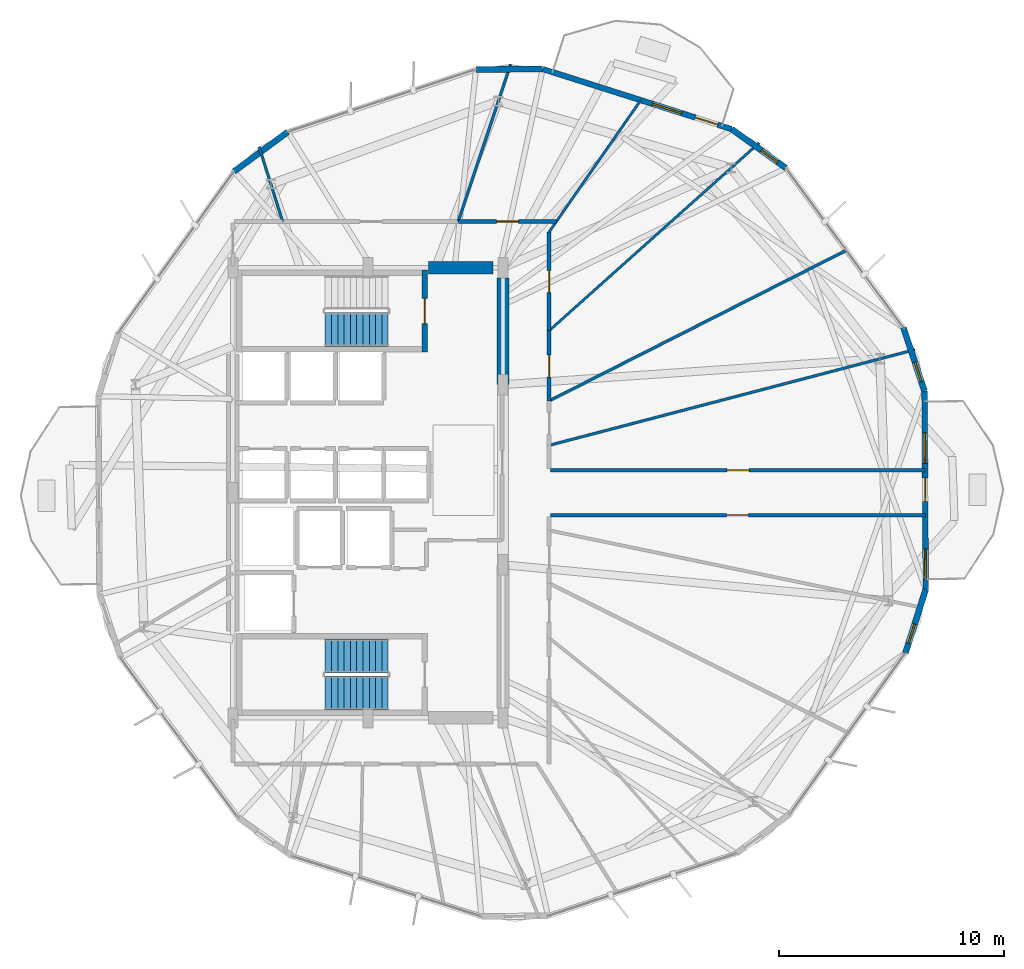
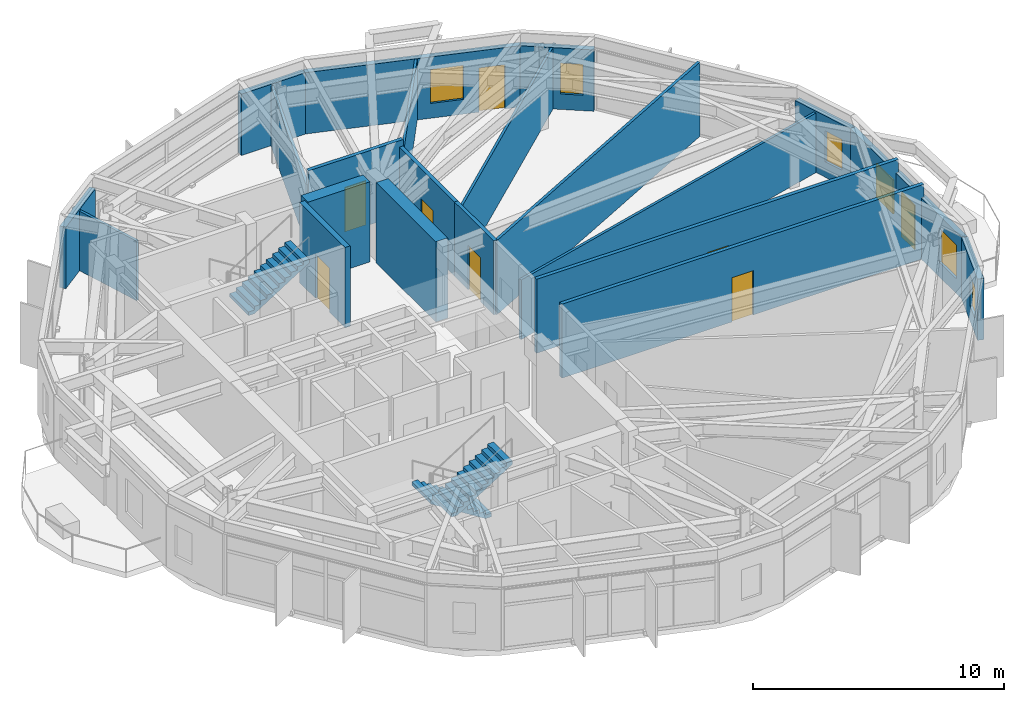
# One storey, part 23 of 27: 21 walls, 8 doors, 6 windows, 3 stair flights, 14 openings, 2 elements without a shape of their own.
"""IFC4 building model written with IfcOpenShell, lengths in metres."""

import ifcopenshell
import ifcopenshell.guid

model = None  # the IFC model being written
_history = None  # IfcOwnerHistory: only IFC2X3 demands one
_inside = {}  # id of a spatial element -> (the spatial element, [elements in it])
_under = {}  # id of a project, library or spatial element -> (it, [spatial elements below it])
_declared = {}  # id of a project -> (the project, [libraries it declares])
_typed = {}  # id of a type object -> (the type object, [elements of that type])
_made_of = {}  # id of a material, layer set ... -> (it, [elements and type objects made of it])


def new_model(schema):
    """Start an empty IFC model of exactly this schema.

    Asked for "IFC4X3", IfcOpenShell would pick the latest addendum, in which some entities
    have other attributes; the version numbers below select the first issue.
    IFC2X3 requires an IfcOwnerHistory on every rooted entity: one is made here for all.
    """
    global model, _history
    if schema == "IFC4X3":
        model = ifcopenshell.file(schema_version=(4, 3, 0, 0))
    else:
        model = ifcopenshell.file(schema=schema)
    _inside.clear()
    _under.clear()
    _declared.clear()
    _typed.clear()
    _made_of.clear()
    _history = None
    if model.schema == "IFC2X3":
        org = make("IfcOrganization", Name="unknown")
        user = make(
            "IfcPersonAndOrganization",
            ThePerson=make("IfcPerson", FamilyName="unknown"),
            TheOrganization=org,
        )
        app = make(
            "IfcApplication",
            ApplicationDeveloper=org,
            Version="unknown",
            ApplicationFullName="unknown",
            ApplicationIdentifier="unknown",
        )
        _history = make(
            "IfcOwnerHistory",
            OwningUser=user,
            OwningApplication=app,
            ChangeAction="ADDED",
            CreationDate=0,
        )
    return model


def make(cls, **values):
    """One entity of the class cls with the attributes given. An attribute that is None is left unset."""
    return model.create_entity(
        cls, **{name: value for name, value in values.items() if value is not None}
    )


def rooted(cls, **values):
    """An entity with a GlobalId (a new one), such as an element, a storey or a relation."""
    return make(cls, GlobalId=ifcopenshell.guid.new(), OwnerHistory=_history, **values)


def si_unit(unit_type, name, prefix=None):
    """IfcSIUnit, for example si_unit("LENGTHUNIT", "METRE", prefix="MILLI")."""
    return make("IfcSIUnit", UnitType=unit_type, Prefix=prefix, Name=name)


def assignment(units):
    """IfcUnitAssignment: the units of a project."""
    return None if units is None else make("IfcUnitAssignment", Units=units)


def point(xyz):
    """IfcCartesianPoint."""
    return None if xyz is None else make("IfcCartesianPoint", Coordinates=xyz)


def direction(xyz):
    """IfcDirection."""
    return None if xyz is None else make("IfcDirection", DirectionRatios=xyz)


def frame(location, z_axis=None, x_axis=None):
    """IfcAxis2Placement3D, a coordinate frame: its origin and axes. An axis left out is left unset."""
    return make(
        "IfcAxis2Placement3D",
        Location=point(location),
        Axis=direction(z_axis),
        RefDirection=direction(x_axis),
    )


def frame_2d(location, x_axis=None):
    """IfcAxis2Placement2D, a coordinate frame in the plane: its origin and x axis."""
    return make(
        "IfcAxis2Placement2D", Location=point(location), RefDirection=direction(x_axis)
    )


def origin():
    """The frame at (0, 0, 0) with its axes left unset."""
    return frame((0.0, 0.0, 0.0))


def place(relative_to, where):
    """IfcLocalPlacement: puts the frame where relative to a parent placement (None: the world)."""
    return make(
        "IfcLocalPlacement", PlacementRelTo=relative_to, RelativePlacement=where
    )


def context(
    kind, dimensions, precision=None, world=None, true_north=None, identifier=None
):
    """IfcGeometricRepresentationContext, for example the 3D "Model" context."""
    return make(
        "IfcGeometricRepresentationContext",
        ContextIdentifier=identifier,
        ContextType=kind,
        CoordinateSpaceDimension=dimensions,
        Precision=precision,
        WorldCoordinateSystem=world,
        TrueNorth=true_north,
    )


def subcontext(parent, identifier, kind, view, scale=None):
    """IfcGeometricRepresentationSubContext, for example "Body" below "Model"."""
    return make(
        "IfcGeometricRepresentationSubContext",
        ContextIdentifier=identifier,
        ContextType=kind,
        ParentContext=parent,
        TargetScale=scale,
        TargetView=view,
    )


def project(units=None, contexts=None):
    """IfcProject with its units and contexts."""
    return rooted(
        "IfcProject",
        Name="project",
        RepresentationContexts=contexts,
        UnitsInContext=assignment(units),
    )


def spatial(cls, under=None, at=None, **own):
    """A site, building, storey or space (cls), placed at a placement, below another one or the project."""
    s = rooted(cls, ObjectPlacement=at, **own)
    if under is not None:
        _under.setdefault(under.id(), (under, []))[1].append(s)
    return s


def polyline(points):
    """IfcPolyline through the points."""
    return make("IfcPolyline", Points=[point(p) for p in points])


def profile(cls, at=None, kind="AREA", **sizes):
    """A parametric profile (cls). Its sizes go by their IFC names, for example OverallWidth=200.0."""
    return make(cls, ProfileType=kind, Position=at, **sizes)


def rectangle(**sizes):
    """IfcRectangleProfileDef."""
    return profile("IfcRectangleProfileDef", **sizes)


def outline(outer, holes=None, kind="AREA"):
    """IfcArbitraryClosedProfileDef: a profile drawn as a closed curve; with holes, ...WithVoids."""
    if holes is None:
        return make("IfcArbitraryClosedProfileDef", ProfileType=kind, OuterCurve=outer)
    return make(
        "IfcArbitraryProfileDefWithVoids",
        ProfileType=kind,
        OuterCurve=outer,
        InnerCurves=holes,
    )


def extrude(swept, where, along, depth):
    """IfcExtrudedAreaSolid: the profile swept, set in the frame where, extruded along a direction by depth."""
    return make(
        "IfcExtrudedAreaSolid",
        SweptArea=swept,
        Position=where,
        ExtrudedDirection=direction(along),
        Depth=depth,
    )


def shape(context_of_items, identifier, shape_type, items):
    """IfcShapeRepresentation: the items that make up one representation, for example the "Body"."""
    return make(
        "IfcShapeRepresentation",
        ContextOfItems=context_of_items,
        RepresentationIdentifier=identifier,
        RepresentationType=shape_type,
        Items=items,
    )


def material(Name=None, Category=None):
    """IfcMaterial."""
    return make("IfcMaterial", Name=Name, Category=Category)


def layer(
    of_material, thickness, ventilated=None, Name=None, Category=None, Priority=None
):
    """IfcMaterialLayer: one layer of a wall or slab, of a material (None: an air gap)."""
    return make(
        "IfcMaterialLayer",
        Material=of_material,
        LayerThickness=thickness,
        IsVentilated=ventilated,
        Name=Name,
        Category=Category,
        Priority=Priority,
    )


def layer_set(layers, Name=None):
    """IfcMaterialLayerSet."""
    return make("IfcMaterialLayerSet", MaterialLayers=layers, LayerSetName=Name)


def made_of(thing, what):
    """Note that an element or type object is made of a material, layer set ...; save() writes the relation."""
    if what is not None:
        _made_of.setdefault(what.id(), (what, []))[1].append(thing)
    return thing


def type_object(cls, material=None, **own):
    """A type object (cls), such as IfcWallType, which elements share."""
    return made_of(rooted(cls, **own), material)


def element(
    cls,
    number,
    at=None,
    inside=None,
    cuts=None,
    type_object=None,
    material=None,
    context=None,
    identifier="Body",
    shape_type=None,
    held_by="IfcProductDefinitionShape",
    body=None,
    shapes=None,
    **own,
):
    """One element of the class cls, such as IfcWall. Its Tag is "e" and its number.

    at: its placement. inside: the storey or other place that contains it. cuts: it is an
    opening in that element (IfcRelVoidsElement). A single representation is given by context,
    identifier, shape_type and body (its items); several are given by shapes. held_by: the class
    of the entity that holds the representations. save() writes the other relations.
    """
    e = rooted(cls, Tag="e%d" % number, ObjectPlacement=at, **own)
    if body is not None:
        shapes = [shape(context, identifier, shape_type, body)]
    if shapes is not None:
        e.Representation = make(held_by, Representations=shapes)
    if inside is not None:
        _inside.setdefault(inside.id(), (inside, []))[1].append(e)
    if cuts is not None:
        rooted(
            "IfcRelVoidsElement", RelatingBuildingElement=cuts, RelatedOpeningElement=e
        )
    if type_object is not None:
        _typed.setdefault(type_object.id(), (type_object, []))[1].append(e)
    return made_of(e, material)


def fill(opening, filler):
    """IfcRelFillsElement: the door or window that sits in an opening."""
    return rooted(
        "IfcRelFillsElement",
        RelatingOpeningElement=opening,
        RelatedBuildingElement=filler,
    )


def aggregate(whole, parts):
    """IfcRelAggregates: a whole, such as a stair, and the parts it consists of."""
    return rooted("IfcRelAggregates", RelatingObject=whole, RelatedObjects=parts)


def save(model, path):
    """Write the relations noted so far, then the file.

    IfcRelAggregates (storeys below a building ...), IfcRelContainedInSpatialStructure (elements
    in a storey), IfcRelDefinesByType, IfcRelAssociatesMaterial and IfcRelDeclares: one each for
    every whole, place, type object, material and project.
    """
    for whole, parts in _under.values():
        aggregate(whole, parts)
    for where, things in _inside.values():
        rooted(
            "IfcRelContainedInSpatialStructure",
            RelatedElements=things,
            RelatingStructure=where,
        )
    for kind, things in _typed.values():
        rooted("IfcRelDefinesByType", RelatedObjects=things, RelatingType=kind)
    for what, things in _made_of.values():
        rooted("IfcRelAssociatesMaterial", RelatedObjects=things, RelatingMaterial=what)
    for by, libraries in _declared.values():
        rooted("IfcRelDeclares", RelatingContext=by, RelatedDefinitions=libraries)
    model.write(path)


model = new_model("IFC4")

# Units and contexts
model_context = context("Model", 3, precision=1e-05, world=origin(), true_north=direction((0.0, 1.0)))
body_context = subcontext(model_context, "Body", "Model", "MODEL_VIEW")
ifc_project = project(units=[si_unit("LENGTHUNIT", "METRE"), si_unit("AREAUNIT", "SQUARE_METRE"), si_unit("VOLUMEUNIT", "CUBIC_METRE"), si_unit("PLANEANGLEUNIT", "RADIAN"), si_unit("MASSUNIT", "GRAM", prefix="KILO")], contexts=[model_context])

# Site, building, storey
site_placement = place(None, origin())
site = spatial("IfcSite", under=ifc_project, at=site_placement, CompositionType="ELEMENT")
building_placement = place(site_placement, origin())
building = spatial("IfcBuilding", under=site, at=building_placement, Name="Soratama Intermodal Tower", CompositionType="ELEMENT")
storey_placement = place(building_placement, frame((0.0, 0.0, 99.10009765625)))
storey = spatial("IfcBuildingStorey", under=building, at=storey_placement, Name="L23", CompositionType="ELEMENT", Elevation=99.10009765625)

# Wall, openings, door, window
ifc_material_1 = material(Name="Concrete f'c 42 MPa", Category="concrete")
ifc_layer_1 = layer(ifc_material_1, 0.25)
ifc_layer_set_1 = layer_set([ifc_layer_1], Name="Concrete f'c 42 MPa")
wall_type_1 = type_object("IfcWallType", Name="EW-BAL-250", PredefinedType="SOLIDWALL", material=ifc_layer_set_1)
wall_1_placement = place(storey_placement, frame((54.757568359375, 41.154541015625, 0.0), z_axis=(0.0, 0.0, 1.0), x_axis=(-0.952980376886, 0.303032013607, 0.0)))
wall_1 = element("IfcWall", 1, at=wall_1_placement, inside=storey, type_object=wall_type_1, Name="L23 Terrace Wall F02", PredefinedType="SOLIDWALL", context=body_context, shape_type="SweptSolid", body=[
    extrude(rectangle(XDim=8.806640625, YDim=0.25, at=frame_2d((4.4033203125, 0.0))), origin(), (0.0, 0.0, 1.0), 2.97900390625),
])
opening_1_placement = place(wall_1_placement, frame((0.64990234375, 0.0, 0.0)))
opening_1 = element("IfcOpeningElement", 2, at=opening_1_placement, cuts=wall_1, Name="Opening ED-5", PredefinedType="OPENING", context=body_context, shape_type="SweptSolid", body=[
    extrude(rectangle(XDim=1.050048828125, YDim=2.14990234375, at=frame_2d((0.52490234375, 1.074951171875))), frame((0.0, 0.135009765625, 0.0), z_axis=(0.0, -1.0, 0.0), x_axis=(1.0, 0.0, 0.0)), (0.0, 0.0, 1.0), 0.27001953125),
])
opening_2_placement = place(wall_1_placement, frame((2.340087890625, 0.0, 0.719970703125)))
opening_2 = element("IfcOpeningElement", 3, at=opening_2_placement, cuts=wall_1, Name="Opening WN-4", PredefinedType="OPENING", context=body_context, shape_type="SweptSolid", body=[
    extrude(rectangle(XDim=1.35009765625, YDim=1.64990234375, at=frame_2d((0.675048828125, 0.824951171875))), frame((0.0, 0.135009765625, 0.0), z_axis=(0.0, -1.0, 0.0), x_axis=(1.0, 0.0, 0.0)), (0.0, 0.0, 1.0), 0.27001953125),
])
ifc_material_2 = material(Name="Double-glazed aluminium door", Category="aluminium")
door_type_1 = type_object("IfcDoorType", Name="DR-BAL-1050", OperationType="NOTDEFINED", PredefinedType="DOOR", material=ifc_material_2)
door_1_placement = place(opening_1_placement, origin())
door_1 = element("IfcDoor", 4, at=door_1_placement, inside=storey, type_object=door_type_1, Name="L23 Balcony Door F02", OperationType="SINGLE_SWING_RIGHT", OverallHeight=2.14990234375, OverallWidth=1.050048828125, PredefinedType="DOOR", context=body_context, shape_type="SweptSolid", body=[
    extrude(rectangle(XDim=1.050048828125, YDim=2.14990234375, at=frame_2d((0.52490234375, 1.074951171875))), frame((0.0, 0.02490234375, 0.0), z_axis=(0.0, -1.0, 0.0), x_axis=(1.0, 0.0, 0.0)), (0.0, 0.0, 1.0), 0.050048828125),
])
fill(opening_1, door_1)
ifc_material_3 = material(Name="Double-glazed aluminium window", Category="aluminium")
window_type_1 = type_object("IfcWindowType", Name="WN-FAC-1350", PartitioningType="SINGLE_PANEL", PredefinedType="WINDOW", material=ifc_material_3)
window_1_placement = place(opening_2_placement, origin())
window_1 = element("IfcWindow", 5, at=window_1_placement, inside=storey, type_object=window_type_1, Name="L23 Window B F02", OverallHeight=1.64990234375, OverallWidth=1.35009765625, PartitioningType="SINGLE_PANEL", PredefinedType="WINDOW", context=body_context, shape_type="SweptSolid", body=[
    extrude(rectangle(XDim=1.35009765625, YDim=1.64990234375, at=frame_2d((0.675048828125, 0.824951171875))), frame((0.0, 0.030029296875, 0.0), z_axis=(0.0, -1.0, 0.0), x_axis=(1.0, 0.0, 0.0)), (0.0, 0.0, 1.0), 0.06005859375),
])
fill(opening_2, window_1)

# Wall, openings, door, windows
wall_2_placement = place(storey_placement, frame((63.379150390625, 20.712158203125, 0.0), z_axis=(0.0, 0.0, 1.0), x_axis=(-0.006293019465, 0.999980198757, 0.0)))
wall_2 = element("IfcWall", 6, at=wall_2_placement, inside=storey, type_object=wall_type_1, Name="L23 Terrace Wall F10", PredefinedType="SOLIDWALL", context=body_context, shape_type="SweptSolid", body=[
    extrude(rectangle(XDim=8.806640625, YDim=0.25, at=frame_2d((4.4033203125, 0.0))), origin(), (0.0, 0.0, 1.0), 2.97900390625),
])
opening_3_placement = place(wall_2_placement, frame((3.9033203125, 0.0, 0.0)))
opening_3 = element("IfcOpeningElement", 7, at=opening_3_placement, cuts=wall_2, Name="Opening ED-5", PredefinedType="OPENING", context=body_context, shape_type="SweptSolid", body=[
    extrude(rectangle(XDim=1.050048828125, YDim=2.14990234375, at=frame_2d((0.52490234375, 1.074951171875))), frame((0.0, 0.135009765625, 0.0), z_axis=(0.0, -1.0, 0.0), x_axis=(1.0, 0.0, 0.0)), (0.0, 0.0, 1.0), 0.27001953125),
])
opening_4_placement = place(wall_2_placement, frame((0.43994140625, 0.0, 0.719970703125)))
opening_4 = element("IfcOpeningElement", 8, at=opening_4_placement, cuts=wall_2, Name="Opening WN-4", PredefinedType="OPENING", context=body_context, shape_type="SweptSolid", body=[
    extrude(rectangle(XDim=1.35009765625, YDim=1.64990234375, at=frame_2d((0.675048828125, 0.824951171875))), frame((0.0, 0.135009765625, 0.0), z_axis=(0.0, -1.0, 0.0), x_axis=(1.0, 0.0, 0.0)), (0.0, 0.0, 1.0), 0.27001953125),
])
opening_5_placement = place(wall_2_placement, frame((5.59326171875, 0.0, 0.719970703125)))
opening_5 = element("IfcOpeningElement", 9, at=opening_5_placement, cuts=wall_2, Name="Opening WN-4", PredefinedType="OPENING", context=body_context, shape_type="SweptSolid", body=[
    extrude(rectangle(XDim=1.35009765625, YDim=1.64990234375, at=frame_2d((0.675048828125, 0.824951171875))), frame((0.0, 0.135009765625, 0.0), z_axis=(0.0, -1.0, 0.0), x_axis=(1.0, 0.0, 0.0)), (0.0, 0.0, 1.0), 0.27001953125),
])
door_2_placement = place(opening_3_placement, origin())
door_2 = element("IfcDoor", 10, at=door_2_placement, inside=storey, type_object=door_type_1, Name="L23 Balcony Door F10", OperationType="SINGLE_SWING_RIGHT", OverallHeight=2.14990234375, OverallWidth=1.050048828125, PredefinedType="DOOR", context=body_context, shape_type="SweptSolid", body=[
    extrude(rectangle(XDim=1.050048828125, YDim=2.14990234375, at=frame_2d((0.52490234375, 1.074951171875))), frame((0.0, 0.02490234375, 0.0), z_axis=(0.0, -1.0, 0.0), x_axis=(1.0, 0.0, 0.0)), (0.0, 0.0, 1.0), 0.050048828125),
])
fill(opening_3, door_2)
window_2_placement = place(opening_4_placement, origin())
window_2 = element("IfcWindow", 11, at=window_2_placement, inside=storey, type_object=window_type_1, Name="L23 Window A F10", OverallHeight=1.64990234375, OverallWidth=1.35009765625, PartitioningType="SINGLE_PANEL", PredefinedType="WINDOW", context=body_context, shape_type="SweptSolid", body=[
    extrude(rectangle(XDim=1.35009765625, YDim=1.64990234375, at=frame_2d((0.675048828125, 0.824951171875))), frame((0.0, 0.030029296875, 0.0), z_axis=(0.0, -1.0, 0.0), x_axis=(1.0, 0.0, 0.0)), (0.0, 0.0, 1.0), 0.06005859375),
])
fill(opening_4, window_2)
window_3_placement = place(opening_5_placement, origin())
window_3 = element("IfcWindow", 12, at=window_3_placement, inside=storey, type_object=window_type_1, Name="L23 Window B F10", OverallHeight=1.64990234375, OverallWidth=1.35009765625, PartitioningType="SINGLE_PANEL", PredefinedType="WINDOW", context=body_context, shape_type="SweptSolid", body=[
    extrude(rectangle(XDim=1.35009765625, YDim=1.64990234375, at=frame_2d((0.675048828125, 0.824951171875))), frame((0.0, 0.030029296875, 0.0), z_axis=(0.0, -1.0, 0.0), x_axis=(1.0, 0.0, 0.0)), (0.0, 0.0, 1.0), 0.06005859375),
])
fill(opening_5, window_3)

# Wall, opening, window
ifc_material_4 = material(Name="Concrete f'c 42 MPa", Category="concrete")
ifc_layer_2 = layer(ifc_material_4, 0.27001953125)
ifc_layer_set_2 = layer_set([ifc_layer_2], Name="Concrete f'c 42 MPa")
wall_type_2 = type_object("IfcWallType", Name="EW-CRN-270", PredefinedType="SOLIDWALL", material=ifc_layer_set_2)
wall_3_placement = place(storey_placement, frame((57.16845703125, 39.426025390625, 0.0), z_axis=(0.0, 0.0, 1.0), x_axis=(-0.81270345811, 0.582677517308, 0.0)))
wall_3 = element("IfcWall", 13, at=wall_3_placement, inside=storey, type_object=wall_type_2, Name="L23 Corner Closure Wall 01", PredefinedType="SOLIDWALL", context=body_context, shape_type="SweptSolid", body=[
    extrude(rectangle(XDim=2.966552734375, YDim=0.27001953125, at=frame_2d((1.4833984375, 0.0))), origin(), (0.0, 0.0, 1.0), 2.97900390625),
])
opening_6_placement = place(wall_3_placement, frame((0.449951171875, 0.0, 0.75)))
opening_6 = element("IfcOpeningElement", 14, at=opening_6_placement, cuts=wall_3, Name="Opening WN-6", PredefinedType="OPENING", context=body_context, shape_type="SweptSolid", body=[
    extrude(rectangle(XDim=0.89990234375, YDim=1.5, at=frame_2d((0.449951171875, 0.75))), frame((0.0, 0.14501953125, 0.0), z_axis=(0.0, -1.0, 0.0), x_axis=(1.0, 0.0, 0.0)), (0.0, 0.0, 1.0), 0.2900390625),
])
ifc_material_5 = material(Name="Double-glazed aluminium window", Category="aluminium")
window_type_2 = type_object("IfcWindowType", Name="WN-FAC-900", PartitioningType="SINGLE_PANEL", PredefinedType="WINDOW", material=ifc_material_5)
window_4_placement = place(opening_6_placement, origin())
window_4 = element("IfcWindow", 15, at=window_4_placement, inside=storey, type_object=window_type_2, Name="L23 Corner Window 01", OverallHeight=1.5, OverallWidth=0.89990234375, PartitioningType="SINGLE_PANEL", PredefinedType="WINDOW", context=body_context, shape_type="SweptSolid", body=[
    extrude(rectangle(XDim=0.89990234375, YDim=1.5, at=frame_2d((0.449951171875, 0.75))), frame((0.0, 0.030029296875, 0.0), z_axis=(0.0, -1.0, 0.0), x_axis=(1.0, 0.0, 0.0)), (0.0, 0.0, 1.0), 0.06005859375),
])
fill(opening_6, window_4)

# Walls
for number, where, z_axis, x_axis, name in (
    (16, (46.364990234375, 43.8232421875, 0.0), (0.0, 0.0, 1.0), (-0.99998044038, -0.00625450691, 0.0), "L23 Corner Closure Wall 02"),
    (17, (35.040283203125, 41.03076171875, 0.0), (0.0, 0.0, 1.0), (-0.80529158798, -0.592878957569, 0.0), "L23 Corner Closure Wall 03"),
):
    element("IfcWall", number, at=place(storey_placement, frame(where, z_axis=z_axis, x_axis=x_axis)), inside=storey, type_object=wall_type_2, Name=name, PredefinedType="SOLIDWALL", context=body_context, shape_type="SweptSolid", body=[
        extrude(rectangle(XDim=2.966552734375, YDim=0.27001953125, at=frame_2d((1.4833984375, 0.0))), origin(), (0.0, 0.0, 1.0), 2.97900390625),
    ])

# Wall, opening, window
wall_4_placement = place(storey_placement, frame((62.480224609375, 17.885009765625, 0.0), z_axis=(0.0, 0.0, 1.0), x_axis=(0.303013428865, 0.952986286327, 0.0)))
wall_4 = element("IfcWall", 18, at=wall_4_placement, inside=storey, type_object=wall_type_2, Name="L23 Corner Closure Wall 09", PredefinedType="SOLIDWALL", context=body_context, shape_type="SweptSolid", body=[
    extrude(rectangle(XDim=2.966552734375, YDim=0.27001953125, at=frame_2d((1.4833984375, 0.0))), origin(), (0.0, 0.0, 1.0), 2.97900390625),
])
opening_7_placement = place(wall_4_placement, frame((0.449951171875, 0.0, 0.75)))
opening_7 = element("IfcOpeningElement", 19, at=opening_7_placement, cuts=wall_4, Name="Opening WN-6", PredefinedType="OPENING", context=body_context, shape_type="SweptSolid", body=[
    extrude(rectangle(XDim=0.89990234375, YDim=1.5, at=frame_2d((0.449951171875, 0.75))), frame((0.0, 0.14501953125, 0.0), z_axis=(0.0, -1.0, 0.0), x_axis=(1.0, 0.0, 0.0)), (0.0, 0.0, 1.0), 0.2900390625),
])
window_5_placement = place(opening_7_placement, origin())
window_5 = element("IfcWindow", 20, at=window_5_placement, inside=storey, type_object=window_type_2, Name="L23 Corner Window 09", OverallHeight=1.5, OverallWidth=0.89990234375, PartitioningType="SINGLE_PANEL", PredefinedType="WINDOW", context=body_context, shape_type="SweptSolid", body=[
    extrude(rectangle(XDim=0.89990234375, YDim=1.5, at=frame_2d((0.449951171875, 0.75))), frame((0.0, 0.030029296875, 0.0), z_axis=(0.0, -1.0, 0.0), x_axis=(1.0, 0.0, 0.0)), (0.0, 0.0, 1.0), 0.06005859375),
])
fill(opening_7, window_5)

wall_5_placement = place(storey_placement, frame((63.32373046875, 29.5185546875, 0.0), z_axis=(0.0, 0.0, 1.0), x_axis=(-0.314968272773, 0.94910220058, 0.0)))
wall_5 = element("IfcWall", 21, at=wall_5_placement, inside=storey, type_object=wall_type_2, Name="L23 Corner Closure Wall 10", PredefinedType="SOLIDWALL", context=body_context, shape_type="SweptSolid", body=[
    extrude(rectangle(XDim=2.96630859375, YDim=0.27001953125, at=frame_2d((1.483154296875, 0.0))), origin(), (0.0, 0.0, 1.0), 2.97900390625),
])
opening_8_placement = place(wall_5_placement, frame((0.449951171875, 0.0, 0.75)))
opening_8 = element("IfcOpeningElement", 22, at=opening_8_placement, cuts=wall_5, Name="Opening WN-6", PredefinedType="OPENING", context=body_context, shape_type="SweptSolid", body=[
    extrude(rectangle(XDim=0.89990234375, YDim=1.5, at=frame_2d((0.449951171875, 0.75))), frame((0.0, 0.14501953125, 0.0), z_axis=(0.0, -1.0, 0.0), x_axis=(1.0, 0.0, 0.0)), (0.0, 0.0, 1.0), 0.2900390625),
])
window_6_placement = place(opening_8_placement, origin())
window_6 = element("IfcWindow", 23, at=window_6_placement, inside=storey, type_object=window_type_2, Name="L23 Corner Window 10", OverallHeight=1.5, OverallWidth=0.89990234375, PartitioningType="SINGLE_PANEL", PredefinedType="WINDOW", context=body_context, shape_type="SweptSolid", body=[
    extrude(rectangle(XDim=0.89990234375, YDim=1.5, at=frame_2d((0.449951171875, 0.75))), frame((0.0, 0.030029296875, 0.0), z_axis=(0.0, -1.0, 0.0), x_axis=(1.0, 0.0, 0.0)), (0.0, 0.0, 1.0), 0.06005859375),
])
fill(opening_8, window_6)

# Wall, opening, door
ifc_material_6 = material(Name="Fire-rated gypsum stud partition", Category="concrete")
ifc_layer_3 = layer(ifc_material_6, 0.169921875)
ifc_layer_set_3 = layer_set([ifc_layer_3], Name="Fire-rated gypsum stud partition")
wall_type_3 = type_object("IfcWallType", Name="IW-PART-R170", PredefinedType="PARTITIONING", material=ifc_layer_set_3)
wall_6_placement = place(storey_placement, frame((63.35888671875, 24.0, 0.0), z_axis=(0.0, 0.0, 1.0), x_axis=(-1.0, 0.0, 0.0)))
wall_6 = element("IfcWall", 24, at=wall_6_placement, inside=storey, type_object=wall_type_3, Name="L23 Partition W-L23-TP003", PredefinedType="PARTITIONING", context=body_context, shape_type="SweptSolid", body=[
    extrude(rectangle(XDim=16.638916015625, YDim=0.169921875, at=frame_2d((8.3193359375, 0.0))), origin(), (0.0, 0.0, 1.0), 3.599853515625),
])
opening_9_placement = place(wall_6_placement, frame((7.844970703125, 0.0, 0.0)))
opening_9 = element("IfcOpeningElement", 25, at=opening_9_placement, cuts=wall_6, Name="Opening ID-5", PredefinedType="OPENING", context=body_context, shape_type="SweptSolid", body=[
    extrude(rectangle(XDim=0.97998046875, YDim=2.14990234375, at=frame_2d((0.489990234375, 1.074951171875))), frame((0.0, 0.094970703125, 0.0), z_axis=(0.0, -1.0, 0.0), x_axis=(1.0, 0.0, 0.0)), (0.0, 0.0, 1.0), 0.18994140625),
])
ifc_material_7 = material(Name="Solid hardwood acoustic door", Category="wood")
door_type_2 = type_object("IfcDoorType", Name="DR-OFF-980", OperationType="NOTDEFINED", PredefinedType="DOOR", material=ifc_material_7)
door_3_placement = place(opening_9_placement, origin())
door_3 = element("IfcDoor", 26, at=door_3_placement, inside=storey, type_object=door_type_2, Name="L23 Door D-L23-TP001", OperationType="SINGLE_SWING_RIGHT", OverallHeight=2.14990234375, OverallWidth=0.97998046875, PredefinedType="DOOR", context=body_context, shape_type="SweptSolid", body=[
    extrude(rectangle(XDim=0.97998046875, YDim=2.14990234375, at=frame_2d((0.489990234375, 1.074951171875))), frame((0.0, 0.02490234375, 0.0), z_axis=(0.0, -1.0, 0.0), x_axis=(1.0, 0.0, 0.0)), (0.0, 0.0, 1.0), 0.050048828125),
])
fill(opening_9, door_3)

wall_7_placement = place(storey_placement, frame((46.719970703125, 26.0, 0.0), z_axis=(0.0, 0.0, 1.0), x_axis=(1.0, 0.0, 0.0)))
wall_7 = element("IfcWall", 27, at=wall_7_placement, inside=storey, type_object=wall_type_3, Name="L23 Partition W-L23-TP004", PredefinedType="PARTITIONING", context=body_context, shape_type="SweptSolid", body=[
    extrude(rectangle(XDim=16.6259765625, YDim=0.169921875, at=frame_2d((8.31298828125, 0.0))), origin(), (0.0, 0.0, 1.0), 3.599853515625),
])
opening_10_placement = place(wall_7_placement, frame((7.837890625, 0.0, 0.0)))
opening_10 = element("IfcOpeningElement", 28, at=opening_10_placement, cuts=wall_7, Name="Opening ID-5", PredefinedType="OPENING", context=body_context, shape_type="SweptSolid", body=[
    extrude(rectangle(XDim=0.97998046875, YDim=2.14990234375, at=frame_2d((0.489990234375, 1.074951171875))), frame((0.0, 0.094970703125, 0.0), z_axis=(0.0, -1.0, 0.0), x_axis=(1.0, 0.0, 0.0)), (0.0, 0.0, 1.0), 0.18994140625),
])
door_4_placement = place(opening_10_placement, origin())
door_4 = element("IfcDoor", 29, at=door_4_placement, inside=storey, type_object=door_type_2, Name="L23 Door D-L23-TP002", OperationType="SINGLE_SWING_LEFT", OverallHeight=2.14990234375, OverallWidth=0.97998046875, PredefinedType="DOOR", context=body_context, shape_type="SweptSolid", body=[
    extrude(rectangle(XDim=0.97998046875, YDim=2.14990234375, at=frame_2d((0.489990234375, 1.074951171875))), frame((0.0, 0.02490234375, 0.0), z_axis=(0.0, -1.0, 0.0), x_axis=(1.0, 0.0, 0.0)), (0.0, 0.0, 1.0), 0.050048828125),
])
fill(opening_10, door_4)

wall_8_placement = place(storey_placement, frame((46.64990234375, 36.583984375, 0.0), z_axis=(0.0, 0.0, 1.0), x_axis=(0.0, -1.0, 0.0)))
wall_8 = element("IfcWall", 30, at=wall_8_placement, inside=storey, type_object=wall_type_3, Name="L23 Partition W-L23-TP019", PredefinedType="PARTITIONING", context=body_context, shape_type="SweptSolid", body=[
    extrude(rectangle(XDim=4.385009765625, YDim=0.169921875, at=frame_2d((2.1923828125, 0.0))), origin(), (0.0, 0.0, 1.0), 3.599853515625),
])
opening_11_placement = place(wall_8_placement, frame((1.718017578125, 0.0, 0.0)))
opening_11 = element("IfcOpeningElement", 31, at=opening_11_placement, cuts=wall_8, Name="Opening ID-5", PredefinedType="OPENING", context=body_context, shape_type="SweptSolid", body=[
    extrude(rectangle(XDim=0.97998046875, YDim=2.14990234375, at=frame_2d((0.489990234375, 1.074951171875))), frame((0.0, 0.094970703125, 0.0), z_axis=(0.0, -1.0, 0.0), x_axis=(1.0, 0.0, 0.0)), (0.0, 0.0, 1.0), 0.18994140625),
])
door_5_placement = place(opening_11_placement, origin())
door_5 = element("IfcDoor", 32, at=door_5_placement, inside=storey, type_object=door_type_2, Name="L23 Door D-L23-TP005", OperationType="SINGLE_SWING_RIGHT", OverallHeight=2.14990234375, OverallWidth=0.97998046875, PredefinedType="DOOR", context=body_context, shape_type="SweptSolid", body=[
    extrude(rectangle(XDim=0.97998046875, YDim=2.14990234375, at=frame_2d((0.489990234375, 1.074951171875))), frame((0.0, 0.02490234375, 0.0), z_axis=(0.0, -1.0, 0.0), x_axis=(1.0, 0.0, 0.0)), (0.0, 0.0, 1.0), 0.050048828125),
])
fill(opening_11, door_5)

wall_9_placement = place(storey_placement, frame((42.614013671875, 37.050048828125, 0.0), z_axis=(0.0, 0.0, 1.0), x_axis=(1.0, 0.0, 0.0)))
wall_9 = element("IfcWall", 33, at=wall_9_placement, inside=storey, type_object=wall_type_3, Name="L23 Partition W-L23-TP020", PredefinedType="PARTITIONING", context=body_context, shape_type="SweptSolid", body=[
    extrude(rectangle(XDim=4.360107421875, YDim=0.169921875, at=frame_2d((2.18017578125, 0.0))), origin(), (0.0, 0.0, 1.0), 3.599853515625),
])
opening_12_placement = place(wall_9_placement, frame((1.705078125, 0.0, 0.0)))
opening_12 = element("IfcOpeningElement", 34, at=opening_12_placement, cuts=wall_9, Name="Opening ID-5", PredefinedType="OPENING", context=body_context, shape_type="SweptSolid", body=[
    extrude(rectangle(XDim=0.97998046875, YDim=2.14990234375, at=frame_2d((0.489990234375, 1.074951171875))), frame((0.0, 0.094970703125, 0.0), z_axis=(0.0, -1.0, 0.0), x_axis=(1.0, 0.0, 0.0)), (0.0, 0.0, 1.0), 0.18994140625),
])
door_6_placement = place(opening_12_placement, origin())
door_6 = element("IfcDoor", 35, at=door_6_placement, inside=storey, type_object=door_type_2, Name="L23 Door D-L23-TP006", OperationType="SINGLE_SWING_LEFT", OverallHeight=2.14990234375, OverallWidth=0.97998046875, PredefinedType="DOOR", context=body_context, shape_type="SweptSolid", body=[
    extrude(rectangle(XDim=0.97998046875, YDim=2.14990234375, at=frame_2d((0.489990234375, 1.074951171875))), frame((0.0, 0.02490234375, 0.0), z_axis=(0.0, -1.0, 0.0), x_axis=(1.0, 0.0, 0.0)), (0.0, 0.0, 1.0), 0.050048828125),
])
fill(opening_12, door_6)

wall_10_placement = place(storey_placement, frame((46.64990234375, 32.198974609375, 0.0), z_axis=(0.0, 0.0, 1.0), x_axis=(0.0, -1.0, 0.0)))
wall_10 = element("IfcWall", 36, at=wall_10_placement, inside=storey, type_object=wall_type_3, Name="L23 Partition W-L23-TP025", PredefinedType="PARTITIONING", context=body_context, shape_type="SweptSolid", body=[
    extrude(rectangle(XDim=3.119873046875, YDim=0.169921875, at=frame_2d((1.56005859375, 0.0))), origin(), (0.0, 0.0, 1.0), 3.599853515625),
])
opening_13_placement = place(wall_10_placement, frame((1.0849609375, 0.0, 0.0)))
opening_13 = element("IfcOpeningElement", 37, at=opening_13_placement, cuts=wall_10, Name="Opening ID-5", PredefinedType="OPENING", context=body_context, shape_type="SweptSolid", body=[
    extrude(rectangle(XDim=0.97998046875, YDim=2.14990234375, at=frame_2d((0.489990234375, 1.074951171875))), frame((0.0, 0.094970703125, 0.0), z_axis=(0.0, -1.0, 0.0), x_axis=(1.0, 0.0, 0.0)), (0.0, 0.0, 1.0), 0.18994140625),
])
door_7_placement = place(opening_13_placement, origin())
door_7 = element("IfcDoor", 38, at=door_7_placement, inside=storey, type_object=door_type_2, Name="L23 Door D-L23-TP009", OperationType="SINGLE_SWING_RIGHT", OverallHeight=2.14990234375, OverallWidth=0.97998046875, PredefinedType="DOOR", context=body_context, shape_type="SweptSolid", body=[
    extrude(rectangle(XDim=0.97998046875, YDim=2.14990234375, at=frame_2d((0.489990234375, 1.074951171875))), frame((0.0, 0.02490234375, 0.0), z_axis=(0.0, -1.0, 0.0), x_axis=(1.0, 0.0, 0.0)), (0.0, 0.0, 1.0), 0.050048828125),
])
fill(opening_13, door_7)

# Walls
ifc_material_8 = material(Name="Fire-rated gypsum stud partition", Category="concrete")
ifc_layer_4 = layer(ifc_material_8, 0.110107421875)
ifc_layer_set_4 = layer_set([ifc_layer_4], Name="Fire-rated gypsum stud partition")
wall_type_4 = type_object("IfcWallType", Name="IW-PART-S110", PredefinedType="PARTITIONING", material=ifc_layer_set_4)
wall_11_placement = place(storey_placement, frame((46.64990234375, 32.198974609375, 0.0), z_axis=(0.0, 0.0, 1.0), x_axis=(0.745403019973, 0.666614084621, 0.0)))
element("IfcWall", 39, at=wall_11_placement, inside=storey, type_object=wall_type_4, Name="L23 Partition W-L23-TP008", PredefinedType="PARTITIONING", context=body_context, shape_type="SweptSolid", body=[
    extrude(rectangle(XDim=12.515625, YDim=0.110107421875, at=frame_2d((6.2578125, 0.0))), origin(), (0.0, 0.0, 1.0), 2.977783203125),
])
wall_12_placement = place(storey_placement, frame((46.64990234375, 36.583984375, 0.0), z_axis=(0.0, 0.0, 1.0), x_axis=(0.570692229292, 0.821164039292, 0.0)))
element("IfcWall", 40, at=wall_12_placement, inside=storey, type_object=wall_type_4, Name="L23 Partition W-L23-TP013", PredefinedType="PARTITIONING", context=body_context, shape_type="SweptSolid", body=[
    extrude(rectangle(XDim=7.130126953125, YDim=0.110107421875, at=frame_2d((3.56494140625, 0.0))), origin(), (0.0, 0.0, 1.0), 2.973876953125),
])
ifc_material_9 = material(Name="Fire-rated gypsum stud partition", Category="concrete")
ifc_layer_5 = layer(ifc_material_9, 0.1201171875)
ifc_layer_set_5 = layer_set([ifc_layer_5], Name="Fire-rated gypsum stud partition")
wall_type_5 = type_object("IfcWallType", Name="IW-PART-S120", PredefinedType="PARTITIONING", material=ifc_layer_set_5)
wall_13_placement = place(storey_placement, frame((46.64990234375, 27.10595703125, 0.0), z_axis=(0.0, 0.0, 1.0), x_axis=(0.967458365638, 0.253030256606, 0.0)))
element("IfcWall", 41, at=wall_13_placement, inside=storey, type_object=wall_type_5, Name="L23 Partition W-L23-TP002", PredefinedType="PARTITIONING", context=body_context, shape_type="SweptSolid", body=[
    extrude(rectangle(XDim=16.79248046875, YDim=0.1201171875, at=frame_2d((8.396240234375, 0.0))), origin(), (0.0, 0.0, 1.0), 2.89501953125),
])
wall_14_placement = place(storey_placement, frame((34.81005859375, 37.050048828125, 0.0), z_axis=(0.0, 0.0, 1.0), x_axis=(-0.300194900444, 0.953877886182, 0.0)))
element("IfcWall", 42, at=wall_14_placement, inside=storey, type_object=wall_type_5, Name="L23 Partition W-L23-TP022", PredefinedType="PARTITIONING", context=body_context, shape_type="SweptSolid", body=[
    extrude(rectangle(XDim=3.481689453125, YDim=0.1201171875, at=frame_2d((1.74072265625, 0.0))), origin(), (0.0, 0.0, 1.0), 2.89501953125),
])
ifc_material_10 = material(Name="Fire-rated gypsum stud partition", Category="concrete")
ifc_layer_6 = layer(ifc_material_10, 0.1298828125)
ifc_layer_set_6 = layer_set([ifc_layer_6], Name="Fire-rated gypsum stud partition")
wall_type_6 = type_object("IfcWallType", Name="IW-PART-S130", PredefinedType="PARTITIONING", material=ifc_layer_set_6)
wall_15_placement = place(storey_placement, frame((46.64990234375, 29.0791015625, 0.0), z_axis=(0.0, 0.0, 1.0), x_axis=(0.891987023653, 0.452061002117, 0.0)))
element("IfcWall", 43, at=wall_15_placement, inside=storey, type_object=wall_type_6, Name="L23 Partition W-L23-TP006", PredefinedType="PARTITIONING", context=body_context, shape_type="SweptSolid", body=[
    extrude(rectangle(XDim=14.807373046875, YDim=0.1298828125, at=frame_2d((7.40380859375, 0.0))), origin(), (0.0, 0.0, 1.0), 3.599853515625),
])
wall_16_placement = place(storey_placement, frame((42.614013671875, 37.050048828125, 0.0), z_axis=(0.0, 0.0, 1.0), x_axis=(0.316009020376, 0.948756185245, 0.0)))
element("IfcWall", 44, at=wall_16_placement, inside=storey, type_object=wall_type_6, Name="L23 Partition W-L23-TP011", PredefinedType="PARTITIONING", context=body_context, shape_type="SweptSolid", body=[
    extrude(rectangle(XDim=7.366455078125, YDim=0.1298828125, at=frame_2d((3.68310546875, 0.0))), origin(), (0.0, 0.0, 1.0), 2.89501953125),
])
ifc_material_11 = material(Name="Concrete f'c 56 MPa", Category="concrete")
ifc_layer_7 = layer(ifc_material_11, 0.550048828125)
ifc_layer_set_7 = layer_set([ifc_layer_7], Name="Concrete f'c 56 MPa")
wall_type_7 = type_object("IfcWallType", Name="SW-CORE-550", PredefinedType="SHEAR", material=ifc_layer_set_7)
wall_17_placement = place(storey_placement, frame((41.300048828125, 35.0, 0.0), z_axis=(0.0, 0.0, 1.0), x_axis=(1.0, 0.0, 0.0)))
element("IfcWall", 45, at=wall_17_placement, inside=storey, type_object=wall_type_7, Name="L23 Core Shear Wall CW-NE", PredefinedType="SHEAR", context=body_context, shape_type="SweptSolid", body=[
    extrude(rectangle(XDim=2.849853515625, YDim=0.550048828125, at=frame_2d((1.4248046875, 0.0))), origin(), (0.0, 0.0, 1.0), 3.89990234375),
])
wall_18_placement = place(storey_placement, frame((44.60009765625, 29.800048828125, 0.0), z_axis=(0.0, 0.0, 1.0), x_axis=(0.0, 1.0, 0.0)))
element("IfcWall", 46, at=wall_18_placement, inside=storey, type_object=wall_type_7, Name="L23 Core Shear Wall CW-EN", PredefinedType="SHEAR", context=body_context, shape_type="SweptSolid", body=[
    extrude(rectangle(XDim=4.75, YDim=0.550048828125, at=frame_2d((2.375, 0.0))), origin(), (0.0, 0.0, 1.0), 3.89990234375),
])

# Wall, opening, door
ifc_material_12 = material(Name="Concrete f'c 56 MPa", Category="concrete")
ifc_layer_8 = layer(ifc_material_12, 0.239990234375)
ifc_layer_set_8 = layer_set([ifc_layer_8], Name="Concrete f'c 56 MPa")
wall_type_8 = type_object("IfcWallType", Name="SW-STAIR-240", PredefinedType="SHEAR", material=ifc_layer_set_8)
wall_19_placement = place(storey_placement, frame((41.1201171875, 31.260009765625, 0.0), z_axis=(0.0, 0.0, 1.0), x_axis=(0.0, 1.0, 0.0)))
wall_19 = element("IfcWall", 47, at=wall_19_placement, inside=storey, type_object=wall_type_8, Name="L23 ST-2 Shaft Shear Wall E", PredefinedType="SHEAR", context=body_context, shape_type="SweptSolid", body=[
    extrude(rectangle(XDim=3.6298828125, YDim=0.239990234375, at=frame_2d((1.81494140625, 0.0))), origin(), (0.0, 0.0, 1.0), 3.89990234375),
])
opening_14_placement = place(wall_19_placement, frame((1.2548828125, 0.0, 0.0)))
opening_14 = element("IfcOpeningElement", 48, at=opening_14_placement, cuts=wall_19, Name="Opening SD-1", PredefinedType="OPENING", context=body_context, shape_type="SweptSolid", body=[
    extrude(rectangle(XDim=1.1201171875, YDim=2.14990234375, at=frame_2d((0.56005859375, 1.074951171875))), frame((0.0, 0.1298828125, 0.0), z_axis=(0.0, -1.0, 0.0), x_axis=(1.0, 0.0, 0.0)), (0.0, 0.0, 1.0), 0.260009765625),
])
ifc_material_13 = material(Name="Steel fire door", Category="steel")
door_type_3 = type_object("IfcDoorType", Name="DR-STAIR-FD90", OperationType="NOTDEFINED", PredefinedType="DOOR", material=ifc_material_13)
door_8_placement = place(opening_14_placement, origin())
door_8 = element("IfcDoor", 49, at=door_8_placement, inside=storey, type_object=door_type_3, Name="L23 ST-2 Exit Stair Door", OperationType="SINGLE_SWING_RIGHT", OverallHeight=2.14990234375, OverallWidth=1.1201171875, PredefinedType="DOOR", context=body_context, shape_type="SweptSolid", body=[
    extrude(rectangle(XDim=1.1201171875, YDim=2.14990234375, at=frame_2d((0.56005859375, 1.074951171875))), frame((0.0, 0.02490234375, 0.0), z_axis=(0.0, -1.0, 0.0), x_axis=(1.0, 0.0, 0.0)), (0.0, 0.0, 1.0), 0.050048828125),
])
fill(opening_14, door_8)

# Stair, stair flights
ifc_material_14 = material(Name="Concrete f'c 42 MPa", Category="concrete")
stair_type = type_object("IfcStairType", Name="ST-CORE-DOGLEG", PredefinedType="HALF_TURN_STAIR", material=ifc_material_14)
stair_1_placement = place(storey_placement, origin())
stair_1 = element("IfcStair", 50, at=stair_1_placement, inside=storey, type_object=stair_type, Name="L23 ST-1", PredefinedType="HALF_TURN_STAIR")
ifc_material_15 = material(Name="Precast concrete f'c 40 MPa", Category="concrete")
ifc_layer_9 = layer(ifc_material_15, 0.199951171875)
ifc_layer_set_9 = layer_set([ifc_layer_9], Name="Precast concrete f'c 40 MPa")
stair_flight_type = type_object("IfcStairFlightType", Name="SF-FLIGHT-RC", PredefinedType="STRAIGHT", material=ifc_layer_set_9)
stair_flight_1_placement = place(storey_placement, frame((39.5, 17.75, 0.0), z_axis=(0.0, 0.0, 1.0), x_axis=(-1.0, 0.0, 0.0)))
stair_flight_1 = element("IfcStairFlight", 51, at=stair_flight_1_placement, type_object=stair_flight_type, Name="ST-1 flight 1", NumberOfRisers=11, NumberOfTreads=10, PredefinedType="STRAIGHT", RiserHeight=0.177272727, TreadLength=0.28, context=body_context, shape_type="SweptSolid", body=[
    extrude(outline(polyline([(0.0, 0.0), (0.0, 0.17724609375), (0.280029296875, 0.17724609375), (0.280029296875, 0.3544921875), (0.56005859375, 0.3544921875), (0.56005859375, 0.53173828125), (0.840087890625, 0.53173828125), (0.840087890625, 0.708984375), (1.1201171875, 0.708984375), (1.1201171875, 0.886474609375), (1.39990234375, 0.886474609375), (1.39990234375, 1.063720703125), (1.679931640625, 1.063720703125), (1.679931640625, 1.240966796875), (1.9599609375, 1.240966796875), (1.9599609375, 1.418212890625), (2.239990234375, 1.418212890625), (2.239990234375, 1.595458984375), (2.52001953125, 1.595458984375), (2.52001953125, 1.772705078125), (2.800048828125, 1.772705078125), (2.800048828125, 1.949951171875), (2.800048828125, 1.59521484375), (0.2802734375, 0.0), (0.0, 0.0)])), frame((0.0, 0.75, 0.0), z_axis=(0.0, -1.0, 0.0), x_axis=(1.0, 0.0, 0.0)), (0.0, 0.0, 1.0), 1.5),
])
stair_flight_2_placement = place(storey_placement, frame((36.699951171875, 16.10009765625, 1.949951171875), z_axis=(0.0, 0.0, 1.0), x_axis=(1.0, 0.0, 0.0)))
stair_flight_2 = element("IfcStairFlight", 52, at=stair_flight_2_placement, type_object=stair_flight_type, Name="ST-1 flight 2", NumberOfRisers=11, NumberOfTreads=10, PredefinedType="STRAIGHT", RiserHeight=0.177272727, TreadLength=0.28, context=body_context, shape_type="SweptSolid", body=[
    extrude(outline(polyline([(0.0, 0.0), (0.0, 0.17724609375), (0.280029296875, 0.17724609375), (0.280029296875, 0.3544921875), (0.56005859375, 0.3544921875), (0.56005859375, 0.53173828125), (0.840087890625, 0.53173828125), (0.840087890625, 0.708984375), (1.1201171875, 0.708984375), (1.1201171875, 0.886474609375), (1.39990234375, 0.886474609375), (1.39990234375, 1.063720703125), (1.679931640625, 1.063720703125), (1.679931640625, 1.240966796875), (1.9599609375, 1.240966796875), (1.9599609375, 1.418212890625), (2.239990234375, 1.418212890625), (2.239990234375, 1.595458984375), (2.52001953125, 1.595458984375), (2.52001953125, 1.772705078125), (2.800048828125, 1.772705078125), (2.800048828125, 1.949951171875), (2.800048828125, 1.59521484375), (0.2802734375, 0.0), (0.0, 0.0)])), frame((0.0, 0.75, 0.0), z_axis=(0.0, -1.0, 0.0), x_axis=(1.0, 0.0, 0.0)), (0.0, 0.0, 1.0), 1.5),
])
aggregate(stair_1, [stair_flight_1, stair_flight_2])

# Stair, stair flight
stair_2_placement = place(storey_placement, origin())
stair_2 = element("IfcStair", 53, at=stair_2_placement, inside=storey, type_object=stair_type, Name="L23 ST-2", PredefinedType="HALF_TURN_STAIR")
stair_flight_3_placement = place(storey_placement, frame((36.699951171875, 32.25, 1.949951171875), z_axis=(0.0, 0.0, 1.0), x_axis=(1.0, 0.0, 0.0)))
stair_flight_3 = element("IfcStairFlight", 54, at=stair_flight_3_placement, type_object=stair_flight_type, Name="ST-2 flight 2", NumberOfRisers=11, NumberOfTreads=10, PredefinedType="STRAIGHT", RiserHeight=0.177272727, TreadLength=0.28, context=body_context, shape_type="SweptSolid", body=[
    extrude(outline(polyline([(0.0, 0.0), (0.0, 0.17724609375), (0.280029296875, 0.17724609375), (0.280029296875, 0.3544921875), (0.56005859375, 0.3544921875), (0.56005859375, 0.53173828125), (0.840087890625, 0.53173828125), (0.840087890625, 0.708984375), (1.1201171875, 0.708984375), (1.1201171875, 0.886474609375), (1.39990234375, 0.886474609375), (1.39990234375, 1.063720703125), (1.679931640625, 1.063720703125), (1.679931640625, 1.240966796875), (1.9599609375, 1.240966796875), (1.9599609375, 1.418212890625), (2.239990234375, 1.418212890625), (2.239990234375, 1.595458984375), (2.52001953125, 1.595458984375), (2.52001953125, 1.772705078125), (2.800048828125, 1.772705078125), (2.800048828125, 1.949951171875), (2.800048828125, 1.59521484375), (0.2802734375, 0.0), (0.0, 0.0)])), frame((0.0, 0.75, 0.0), z_axis=(0.0, -1.0, 0.0), x_axis=(1.0, 0.0, 0.0)), (0.0, 0.0, 1.0), 1.5),
])
aggregate(stair_2, [stair_flight_3])

save(model, "model.ifc")
